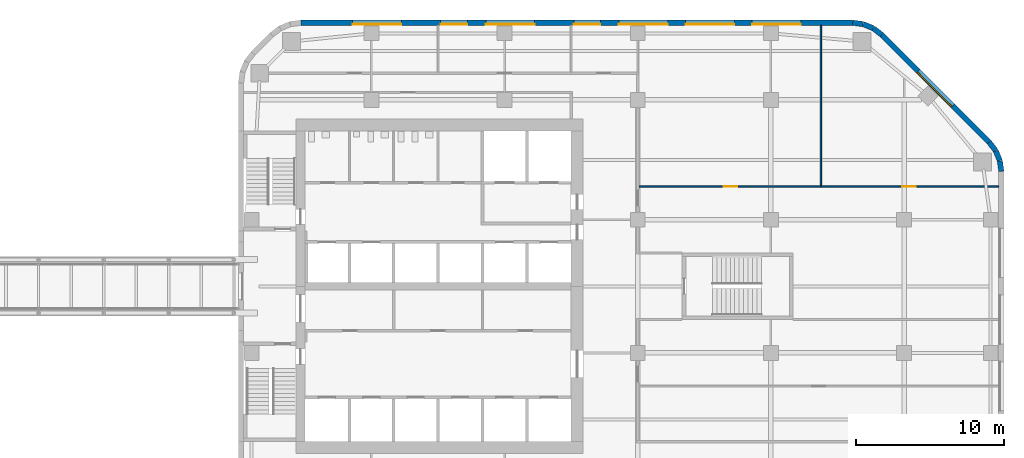
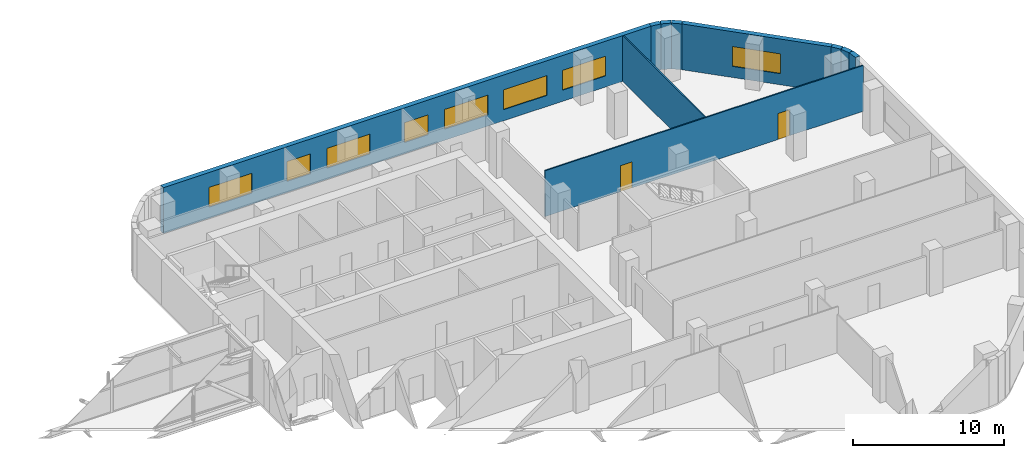
# One storey, part 17 of 21: 10 walls, 8 windows, 2 doors, 10 openings.
"""IFC4 building model written with IfcOpenShell, lengths in metres."""

from ifc_helpers import new_model, si_unit, direction, frame, frame_2d, origin, place, context, subcontext, project, spatial, rectangle, extrude, material, layer, layer_set, type_object, element, fill, save


model = new_model("IFC4")

# Units and contexts
model_context = context("Model", 3, precision=1e-05, world=origin(), true_north=direction((0.0, 1.0)))
body_context = subcontext(model_context, "Body", "Model", "MODEL_VIEW")
ifc_project = project(units=[si_unit("LENGTHUNIT", "METRE"), si_unit("AREAUNIT", "SQUARE_METRE"), si_unit("VOLUMEUNIT", "CUBIC_METRE"), si_unit("PLANEANGLEUNIT", "RADIAN"), si_unit("MASSUNIT", "GRAM", prefix="KILO")], contexts=[model_context])

# Site, building, storey
site_placement = place(None, origin())
site = spatial("IfcSite", under=ifc_project, at=site_placement, CompositionType="ELEMENT")
building_placement = place(site_placement, origin())
building = spatial("IfcBuilding", under=site, at=building_placement, Name="Cinnabar Reach Civic Tower", CompositionType="ELEMENT")
storey_placement = place(building_placement, frame((0.0, 0.0, 140.0)))
storey = spatial("IfcBuildingStorey", under=building, at=storey_placement, Name="L33", CompositionType="ELEMENT", Elevation=140.0)

# Walls
ifc_material_1 = material(Name="Facing brick with insulated backing", Category="masonry")
ifc_layer_1 = layer(ifc_material_1, 0.36)
ifc_layer_set_1 = layer_set([ifc_layer_1], Name="Brick corner wall")
wall_type_1 = type_object("IfcWallType", Name="Brick corner wall", PredefinedType="STANDARD", material=ifc_layer_set_1)
for number, where, z_axis, x_axis, name in (
    (1, (51.567, 39.2686, 0.0), (0.0, 0.0, 1.0), (-0.13055608231, 0.99144092581, 0.0), "Brick corner wall"),
    (2, (51.4681, 39.9973, 0.0), (0.0, 0.0, 1.0), (-0.382702709855, 0.923871547278, 0.0), "Brick corner wall"),
):
    element("IfcWall", number, at=place(storey_placement, frame(where, z_axis=z_axis, x_axis=x_axis)), inside=storey, type_object=wall_type_1, Name=name, PredefinedType="STANDARD", context=body_context, shape_type="SweptSolid", body=[
        extrude(rectangle(XDim=0.7131, YDim=0.36, at=frame_2d((0.3565, 0.0))), origin(), (0.0, 0.0, 1.0), 3.7),
    ])
for number, where, z_axis, x_axis, name in (
    (3, (51.184, 40.6755, 0.0), (0.0, 0.0, 1.0), (-0.608802368033, 0.793321924995, 0.0), "Brick corner wall"),
    (4, (43.4913, 48.4998, 0.0), (0.0, 0.0, 1.0), (-0.793321924995, 0.608802368033, 0.0), "Brick corner wall"),
):
    element("IfcWall", number, at=place(storey_placement, frame(where, z_axis=z_axis, x_axis=x_axis)), inside=storey, type_object=wall_type_1, Name=name, PredefinedType="STANDARD", context=body_context, shape_type="SweptSolid", body=[
        extrude(rectangle(XDim=0.7132, YDim=0.36, at=frame_2d((0.3566, 0.0))), origin(), (0.0, 0.0, 1.0), 3.7),
    ])
for number, where, z_axis, x_axis, name in (
    (5, (42.9061, 48.9452, 0.0), (0.0, 0.0, 1.0), (-0.923871547278, 0.382702709855, 0.0), "Brick corner wall"),
    (6, (42.2256, 49.2239, 0.0), (0.0, 0.0, 1.0), (-0.99144092581, 0.13055608231, 0.0), "Brick corner wall"),
):
    element("IfcWall", number, at=place(storey_placement, frame(where, z_axis=z_axis, x_axis=x_axis)), inside=storey, type_object=wall_type_1, Name=name, PredefinedType="STANDARD", context=body_context, shape_type="SweptSolid", body=[
        extrude(rectangle(XDim=0.7131, YDim=0.36, at=frame_2d((0.3565, 0.0))), origin(), (0.0, 0.0, 1.0), 3.7),
    ])

# Wall, opening, window
ifc_layer_2 = layer(ifc_material_1, 0.36)
ifc_layer_set_2 = layer_set([ifc_layer_2], Name="Brick pier and spandrel wall")
wall_type_2 = type_object("IfcWallType", Name="Brick pier and spandrel wall", PredefinedType="STANDARD", material=ifc_layer_set_2)
wall_1_placement = place(storey_placement, frame((50.744, 41.2514, 0.0), z_axis=(0.0, 0.0, 1.0), x_axis=(-0.707106781187, 0.707106781187, 0.0)))
wall_1 = element("IfcWall", 7, at=wall_1_placement, inside=storey, type_object=wall_type_2, Name="Brick facade wall", PredefinedType="STANDARD", context=body_context, shape_type="SweptSolid", body=[
    extrude(rectangle(XDim=10.2426, YDim=0.36, at=frame_2d((5.1213, 0.0))), origin(), (0.0, 0.0, 1.0), 3.7),
])
opening_1_placement = place(wall_1_placement, frame((3.4713, 0.0, 0.9)))
opening_1 = element("IfcOpeningElement", 8, at=opening_1_placement, cuts=wall_1, Name="Opening W1711", PredefinedType="OPENING", context=body_context, shape_type="SweptSolid", body=[
    extrude(rectangle(XDim=3.3, YDim=1.6, at=frame_2d((1.65, 0.8))), frame((0.0, 0.19, 0.0), z_axis=(0.0, -1.0, 0.0), x_axis=(1.0, 0.0, 0.0)), (0.0, 0.0, 1.0), 0.38),
])
ifc_material_2 = material(Name="Clear double glazing in aluminium frame", Category="aluminium")
window_type_1 = type_object("IfcWindowType", Name="Deep-set window A", PartitioningType="SINGLE_PANEL", PredefinedType="WINDOW", material=ifc_material_2)
window_1_placement = place(opening_1_placement, origin())
window_1 = element("IfcWindow", 9, at=window_1_placement, inside=storey, type_object=window_type_1, Name="Window northeast face", OverallHeight=1.6, OverallWidth=3.3, PartitioningType="SINGLE_PANEL", PredefinedType="WINDOW", context=body_context, shape_type="SweptSolid", body=[
    extrude(rectangle(XDim=3.3, YDim=1.6, at=frame_2d((1.65, 0.8))), frame((0.0, 0.13, 0.0), z_axis=(0.0, -1.0, 0.0), x_axis=(1.0, 0.0, 0.0)), (0.0, 0.0, 1.0), 0.06),
])
fill(opening_1, window_1)

# Wall, openings, windows
wall_2_placement = place(storey_placement, frame((41.5074, 49.32, 0.0), z_axis=(0.0, 0.0, 1.0), x_axis=(-1.0, 0.0, 0.0)))
wall_2 = element("IfcWall", 10, at=wall_2_placement, inside=storey, type_object=wall_type_2, Name="Brick facade wall", PredefinedType="STANDARD", context=body_context, shape_type="SweptSolid", body=[
    extrude(rectangle(XDim=37.2648, YDim=0.36, at=frame_2d((18.6324, 0.0))), origin(), (0.0, 0.0, 1.0), 3.7),
])
opening_2_placement = place(wall_2_placement, frame((3.4824, 0.0, 0.9)))
opening_2 = element("IfcOpeningElement", 11, at=opening_2_placement, cuts=wall_2, Name="Opening W1712", PredefinedType="OPENING", context=body_context, shape_type="SweptSolid", body=[
    extrude(rectangle(XDim=3.3, YDim=1.6, at=frame_2d((1.65, 0.8))), frame((0.0, 0.19, 0.0), z_axis=(0.0, -1.0, 0.0), x_axis=(1.0, 0.0, 0.0)), (0.0, 0.0, 1.0), 0.38),
])
opening_3_placement = place(wall_2_placement, frame((7.9824, 0.0, 0.9)))
opening_3 = element("IfcOpeningElement", 12, at=opening_3_placement, cuts=wall_2, Name="Opening W1713", PredefinedType="OPENING", context=body_context, shape_type="SweptSolid", body=[
    extrude(rectangle(XDim=3.3, YDim=1.6, at=frame_2d((1.65, 0.8))), frame((0.0, 0.19, 0.0), z_axis=(0.0, -1.0, 0.0), x_axis=(1.0, 0.0, 0.0)), (0.0, 0.0, 1.0), 0.38),
])
opening_4_placement = place(wall_2_placement, frame((12.4824, 0.0, 0.9)))
opening_4 = element("IfcOpeningElement", 13, at=opening_4_placement, cuts=wall_2, Name="Opening W1714", PredefinedType="OPENING", context=body_context, shape_type="SweptSolid", body=[
    extrude(rectangle(XDim=3.3, YDim=1.6, at=frame_2d((1.65, 0.8))), frame((0.0, 0.19, 0.0), z_axis=(0.0, -1.0, 0.0), x_axis=(1.0, 0.0, 0.0)), (0.0, 0.0, 1.0), 0.38),
])
opening_5_placement = place(wall_2_placement, frame((17.0324, 0.0, 0.9)))
opening_5 = element("IfcOpeningElement", 14, at=opening_5_placement, cuts=wall_2, Name="Opening W1715", PredefinedType="OPENING", context=body_context, shape_type="SweptSolid", body=[
    extrude(rectangle(XDim=1.8, YDim=1.6, at=frame_2d((0.9, 0.8))), frame((0.0, 0.19, 0.0), z_axis=(0.0, -1.0, 0.0), x_axis=(1.0, 0.0, 0.0)), (0.0, 0.0, 1.0), 0.38),
])
opening_6_placement = place(wall_2_placement, frame((21.4824, 0.0, 0.9)))
opening_6 = element("IfcOpeningElement", 15, at=opening_6_placement, cuts=wall_2, Name="Opening W1716", PredefinedType="OPENING", context=body_context, shape_type="SweptSolid", body=[
    extrude(rectangle(XDim=3.3, YDim=1.6, at=frame_2d((1.65, 0.8))), frame((0.0, 0.19, 0.0), z_axis=(0.0, -1.0, 0.0), x_axis=(1.0, 0.0, 0.0)), (0.0, 0.0, 1.0), 0.38),
])
opening_7_placement = place(wall_2_placement, frame((26.0324, 0.0, 0.9)))
opening_7 = element("IfcOpeningElement", 16, at=opening_7_placement, cuts=wall_2, Name="Opening W1717", PredefinedType="OPENING", context=body_context, shape_type="SweptSolid", body=[
    extrude(rectangle(XDim=1.8, YDim=1.6, at=frame_2d((0.9, 0.8))), frame((0.0, 0.19, 0.0), z_axis=(0.0, -1.0, 0.0), x_axis=(1.0, 0.0, 0.0)), (0.0, 0.0, 1.0), 0.38),
])
opening_8_placement = place(wall_2_placement, frame((30.4824, 0.0, 0.9)))
opening_8 = element("IfcOpeningElement", 17, at=opening_8_placement, cuts=wall_2, Name="Opening W1718", PredefinedType="OPENING", context=body_context, shape_type="SweptSolid", body=[
    extrude(rectangle(XDim=3.3, YDim=1.6, at=frame_2d((1.65, 0.8))), frame((0.0, 0.19, 0.0), z_axis=(0.0, -1.0, 0.0), x_axis=(1.0, 0.0, 0.0)), (0.0, 0.0, 1.0), 0.38),
])
window_2_placement = place(opening_2_placement, origin())
window_2 = element("IfcWindow", 18, at=window_2_placement, inside=storey, type_object=window_type_1, Name="Window north face", OverallHeight=1.6, OverallWidth=3.3, PartitioningType="SINGLE_PANEL", PredefinedType="WINDOW", context=body_context, shape_type="SweptSolid", body=[
    extrude(rectangle(XDim=3.3, YDim=1.6, at=frame_2d((1.65, 0.8))), frame((0.0, 0.13, 0.0), z_axis=(0.0, -1.0, 0.0), x_axis=(1.0, 0.0, 0.0)), (0.0, 0.0, 1.0), 0.06),
])
fill(opening_2, window_2)
window_3_placement = place(opening_3_placement, origin())
window_3 = element("IfcWindow", 19, at=window_3_placement, inside=storey, type_object=window_type_1, Name="Window north face", OverallHeight=1.6, OverallWidth=3.3, PartitioningType="SINGLE_PANEL", PredefinedType="WINDOW", context=body_context, shape_type="SweptSolid", body=[
    extrude(rectangle(XDim=3.3, YDim=1.6, at=frame_2d((1.65, 0.8))), frame((0.0, 0.13, 0.0), z_axis=(0.0, -1.0, 0.0), x_axis=(1.0, 0.0, 0.0)), (0.0, 0.0, 1.0), 0.06),
])
fill(opening_3, window_3)
window_4_placement = place(opening_4_placement, origin())
window_4 = element("IfcWindow", 20, at=window_4_placement, inside=storey, type_object=window_type_1, Name="Window north face", OverallHeight=1.6, OverallWidth=3.3, PartitioningType="SINGLE_PANEL", PredefinedType="WINDOW", context=body_context, shape_type="SweptSolid", body=[
    extrude(rectangle(XDim=3.3, YDim=1.6, at=frame_2d((1.65, 0.8))), frame((0.0, 0.13, 0.0), z_axis=(0.0, -1.0, 0.0), x_axis=(1.0, 0.0, 0.0)), (0.0, 0.0, 1.0), 0.06),
])
fill(opening_4, window_4)
window_5_placement = place(opening_6_placement, origin())
window_5 = element("IfcWindow", 21, at=window_5_placement, inside=storey, type_object=window_type_1, Name="Window north face", OverallHeight=1.6, OverallWidth=3.3, PartitioningType="SINGLE_PANEL", PredefinedType="WINDOW", context=body_context, shape_type="SweptSolid", body=[
    extrude(rectangle(XDim=3.3, YDim=1.6, at=frame_2d((1.65, 0.8))), frame((0.0, 0.13, 0.0), z_axis=(0.0, -1.0, 0.0), x_axis=(1.0, 0.0, 0.0)), (0.0, 0.0, 1.0), 0.06),
])
fill(opening_6, window_5)
window_6_placement = place(opening_8_placement, origin())
window_6 = element("IfcWindow", 22, at=window_6_placement, inside=storey, type_object=window_type_1, Name="Window north face", OverallHeight=1.6, OverallWidth=3.3, PartitioningType="SINGLE_PANEL", PredefinedType="WINDOW", context=body_context, shape_type="SweptSolid", body=[
    extrude(rectangle(XDim=3.3, YDim=1.6, at=frame_2d((1.65, 0.8))), frame((0.0, 0.13, 0.0), z_axis=(0.0, -1.0, 0.0), x_axis=(1.0, 0.0, 0.0)), (0.0, 0.0, 1.0), 0.06),
])
fill(opening_8, window_6)
window_type_2 = type_object("IfcWindowType", Name="Deep-set window D", PartitioningType="SINGLE_PANEL", PredefinedType="WINDOW", material=ifc_material_2)
window_7_placement = place(opening_5_placement, origin())
window_7 = element("IfcWindow", 23, at=window_7_placement, inside=storey, type_object=window_type_2, Name="Window north face", OverallHeight=1.6, OverallWidth=1.8, PartitioningType="SINGLE_PANEL", PredefinedType="WINDOW", context=body_context, shape_type="SweptSolid", body=[
    extrude(rectangle(XDim=1.8, YDim=1.6, at=frame_2d((0.9, 0.8))), frame((0.0, 0.13, 0.0), z_axis=(0.0, -1.0, 0.0), x_axis=(1.0, 0.0, 0.0)), (0.0, 0.0, 1.0), 0.06),
])
fill(opening_5, window_7)
window_8_placement = place(opening_7_placement, origin())
window_8 = element("IfcWindow", 24, at=window_8_placement, inside=storey, type_object=window_type_2, Name="Window north face", OverallHeight=1.6, OverallWidth=1.8, PartitioningType="SINGLE_PANEL", PredefinedType="WINDOW", context=body_context, shape_type="SweptSolid", body=[
    extrude(rectangle(XDim=1.8, YDim=1.6, at=frame_2d((0.9, 0.8))), frame((0.0, 0.13, 0.0), z_axis=(0.0, -1.0, 0.0), x_axis=(1.0, 0.0, 0.0)), (0.0, 0.0, 1.0), 0.06),
])
fill(opening_7, window_8)

# Wall, openings, doors
ifc_material_3 = material(Name="Gypsum board on steel studs", Category="steel")
ifc_layer_3 = layer(ifc_material_3, 0.1)
ifc_layer_set_3 = layer_set([ifc_layer_3], Name="Partition wall 100 T1")
wall_type_3 = type_object("IfcWallType", Name="Partition wall 100 T1", PredefinedType="PARTITIONING", material=ifc_layer_set_3)
wall_3_placement = place(storey_placement, frame((27.075, 38.25, 0.0), z_axis=(0.0, 0.0, 1.0), x_axis=(1.0, 0.0, 0.0)))
wall_3 = element("IfcWall", 25, at=wall_3_placement, inside=storey, type_object=wall_type_3, Name="Partition wall 48", PredefinedType="PARTITIONING", context=body_context, shape_type="SweptSolid", body=[
    extrude(rectangle(XDim=24.315, YDim=0.1, at=frame_2d((12.1575, 0.0))), origin(), (0.0, 0.0, 1.0), 3.7),
])
opening_9_placement = place(wall_3_placement, frame((5.75, 0.0, 0.0)))
opening_9 = element("IfcOpeningElement", 26, at=opening_9_placement, cuts=wall_3, Name="Opening D4360", PredefinedType="OPENING", context=body_context, shape_type="SweptSolid", body=[
    extrude(rectangle(XDim=0.9, YDim=2.1, at=frame_2d((0.45, 1.05))), frame((0.0, 0.06, 0.0), z_axis=(0.0, -1.0, 0.0), x_axis=(1.0, 0.0, 0.0)), (0.0, 0.0, 1.0), 0.12),
])
opening_10_placement = place(wall_3_placement, frame((17.8, 0.0, 0.0)))
opening_10 = element("IfcOpeningElement", 27, at=opening_10_placement, cuts=wall_3, Name="Opening D4361", PredefinedType="OPENING", context=body_context, shape_type="SweptSolid", body=[
    extrude(rectangle(XDim=0.9, YDim=2.1, at=frame_2d((0.45, 1.05))), frame((0.0, 0.06, 0.0), z_axis=(0.0, -1.0, 0.0), x_axis=(1.0, 0.0, 0.0)), (0.0, 0.0, 1.0), 0.12),
])
ifc_material_4 = material(Name="Timber door leaf in steel frame", Category="steel")
door_type = type_object("IfcDoorType", Name="Single swing door 900 x 2100 T1", OperationType="SINGLE_SWING_LEFT", PredefinedType="DOOR", material=ifc_material_4)
door_1_placement = place(opening_9_placement, origin())
door_1 = element("IfcDoor", 28, at=door_1_placement, inside=storey, type_object=door_type, Name="Door D4360", OperationType="SINGLE_SWING_RIGHT", OverallHeight=2.1, OverallWidth=0.9, PredefinedType="DOOR", context=body_context, shape_type="SweptSolid", body=[
    extrude(rectangle(XDim=0.9, YDim=2.1, at=frame_2d((0.45, 1.05))), frame((0.0, 0.025, 0.0), z_axis=(0.0, -1.0, 0.0), x_axis=(1.0, 0.0, 0.0)), (0.0, 0.0, 1.0), 0.05),
])
fill(opening_9, door_1)
door_2_placement = place(opening_10_placement, origin())
door_2 = element("IfcDoor", 29, at=door_2_placement, inside=storey, type_object=door_type, Name="Door D4361", OperationType="SINGLE_SWING_LEFT", OverallHeight=2.1, OverallWidth=0.9, PredefinedType="DOOR", context=body_context, shape_type="SweptSolid", body=[
    extrude(rectangle(XDim=0.9, YDim=2.1, at=frame_2d((0.45, 1.05))), frame((0.0, 0.025, 0.0), z_axis=(0.0, -1.0, 0.0), x_axis=(1.0, 0.0, 0.0)), (0.0, 0.0, 1.0), 0.05),
])
fill(opening_10, door_2)

# Wall
wall_4_placement = place(storey_placement, frame((39.375, 38.3, 0.0), z_axis=(0.0, 0.0, 1.0), x_axis=(0.0, 1.0, 0.0)))
element("IfcWall", 30, at=wall_4_placement, inside=storey, type_object=wall_type_3, Name="Partition wall 55", PredefinedType="PARTITIONING", context=body_context, shape_type="SweptSolid", body=[
    extrude(rectangle(XDim=10.84, YDim=0.1, at=frame_2d((5.42, 0.0))), origin(), (0.0, 0.0, 1.0), 3.7),
])

save(model, "model.ifc")
